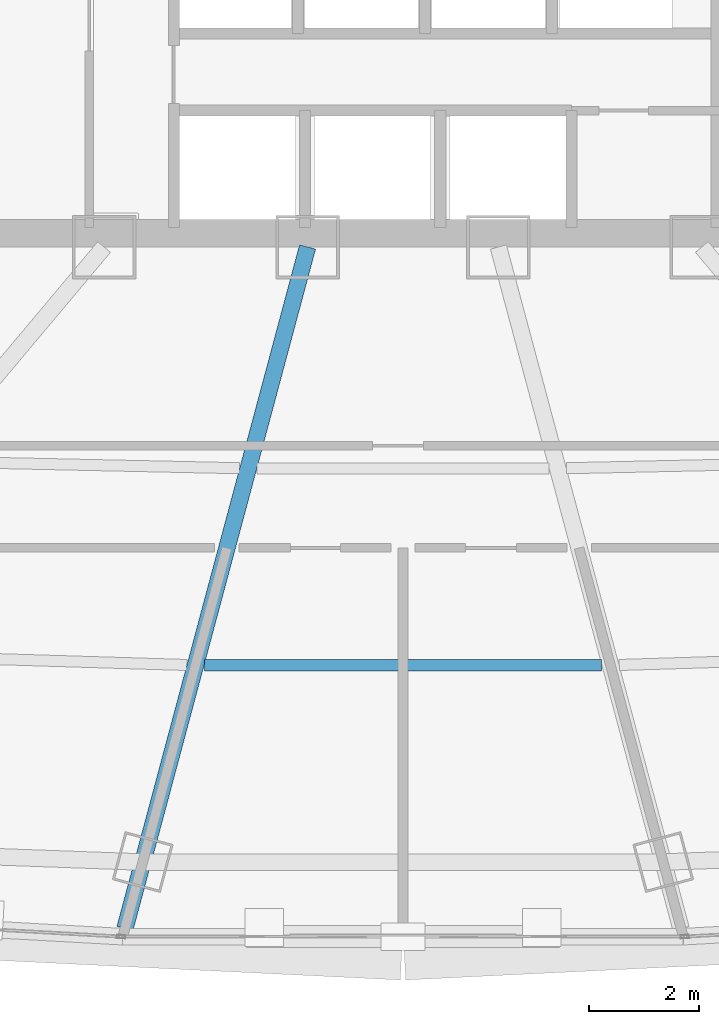
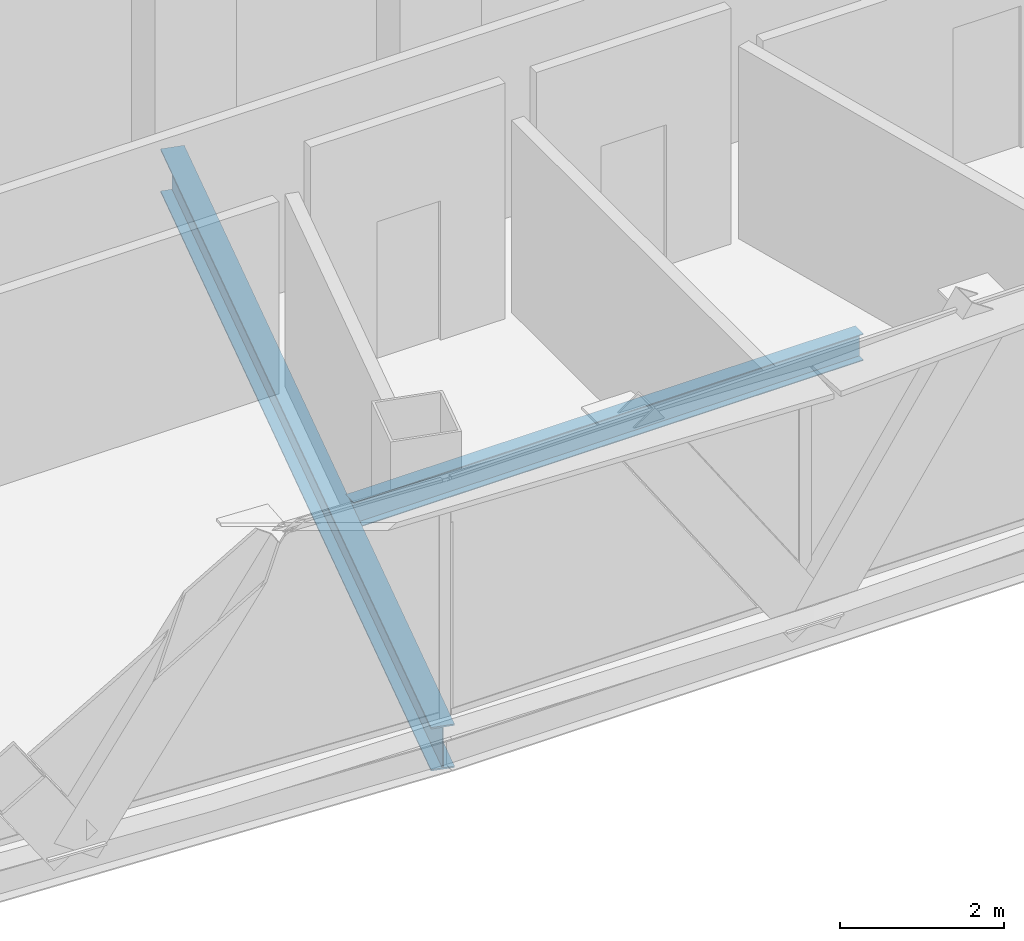
# One storey, part 11 of 36: 2 beams.
"""IFC4 building model written with IfcOpenShell, lengths in metres."""

from ifc_helpers import new_model, si_unit, direction, frame, origin, origin_2d, place, context, subcontext, project, spatial, i_section, extrude, source, transform, mapped, material, material_profile, profile_set, type_object, element, save


model = new_model("IFC4")

# Units and contexts
model_context = context("Model", 3, precision=1e-05, world=origin(), true_north=direction((0.0, 1.0)))
body_context = subcontext(model_context, "Body", "Model", "MODEL_VIEW")
ifc_project = project(units=[si_unit("LENGTHUNIT", "METRE"), si_unit("AREAUNIT", "SQUARE_METRE"), si_unit("VOLUMEUNIT", "CUBIC_METRE"), si_unit("PLANEANGLEUNIT", "RADIAN"), si_unit("MASSUNIT", "GRAM", prefix="KILO"), si_unit("THERMODYNAMICTEMPERATUREUNIT", "KELVIN"), si_unit("POWERUNIT", "WATT")], contexts=[model_context])

# Site, building, storey
site_placement = place(None, origin())
site = spatial("IfcSite", under=ifc_project, at=site_placement, CompositionType="ELEMENT")
building_placement = place(site_placement, origin())
building = spatial("IfcBuilding", under=site, at=building_placement, Name="Yunzhuo Pagoda Commons", CompositionType="ELEMENT")
storey_placement = place(building_placement, frame((0.0, 0.0, 215.159912109375)))
storey = spatial("IfcBuildingStorey", under=building, at=storey_placement, Name="L54", CompositionType="ELEMENT", Elevation=215.159912109375)

# Beams
ifc_material = material(Name="Structural steel Q355B", Category="steel")
ifc_material_profile_1 = material_profile(ifc_material, i_section(OverallWidth=0.199951171875, OverallDepth=0.39990234375, WebThickness=0.008056640625, FlangeThickness=0.012939453125, at=origin_2d()), Name="Structural steel Q355B")
ifc_profile_set_1 = profile_set([ifc_material_profile_1], Name="Structural steel Q355B")
beam_type_1 = type_object("IfcBeamType", Name="B-JS1 Joist HN 400x200x8x13", PredefinedType="JOIST", material=ifc_profile_set_1)
shared_shape_1 = source(origin(), body_context, "Body", "SweptSolid", [
    extrude(i_section(OverallWidth=0.199951171875, OverallDepth=0.39990234375, WebThickness=0.008056640625, FlangeThickness=0.012939453125, at=origin_2d()), origin(), (0.0, 0.0, 1.0), 7.197265625),
])
beam_1_placement = place(storey_placement, frame((44.4013671875, 19.676513671875, -0.4599609375), z_axis=(1.0, 0.0, 0.0), x_axis=(0.0, 1.0, 0.0)))
element("IfcBeam", 1, at=beam_1_placement, inside=storey, type_object=beam_type_1, Name="L54 composite ring joist 2.2", PredefinedType="JOIST", context=body_context, shape_type="MappedRepresentation", body=[
    mapped(shared_shape_1, transform((0.0, 0.0, 0.0), scale=1.0)),
])
ifc_material_profile_2 = material_profile(ifc_material, i_section(OverallWidth=0.300048828125, OverallDepth=0.64990234375, WebThickness=0.012939453125, FlangeThickness=0.02197265625, at=origin_2d()), Name="Structural steel Q355B")
ifc_profile_set_2 = profile_set([ifc_material_profile_2], Name="Structural steel Q355B")
beam_type_2 = type_object("IfcBeamType", Name="B-RG2 Beam HN 650x300x13x22", PredefinedType="BEAM", material=ifc_profile_set_2)
shared_shape_2 = source(origin(), body_context, "Body", "SweptSolid", [
    extrude(i_section(OverallWidth=0.300048828125, OverallDepth=0.64990234375, WebThickness=0.012939453125, FlangeThickness=0.02197265625, at=origin_2d()), origin(), (0.0, 0.0, 1.0), 12.775146484375),
])
beam_2_placement = place(storey_placement, frame((42.96533203125, 14.91015625, -0.5849609375), z_axis=(0.25883288175, 0.965922118664, 0.0), x_axis=(-0.965922118664, 0.25883288175, 0.0)))
element("IfcBeam", 2, at=beam_2_placement, inside=storey, type_object=beam_type_2, Name="L54 radial floor girder F1C2", PredefinedType="BEAM", context=body_context, shape_type="MappedRepresentation", body=[
    mapped(shared_shape_2, transform((0.0, 0.0, 0.0), scale=1.0)),
])

save(model, "model.ifc")
